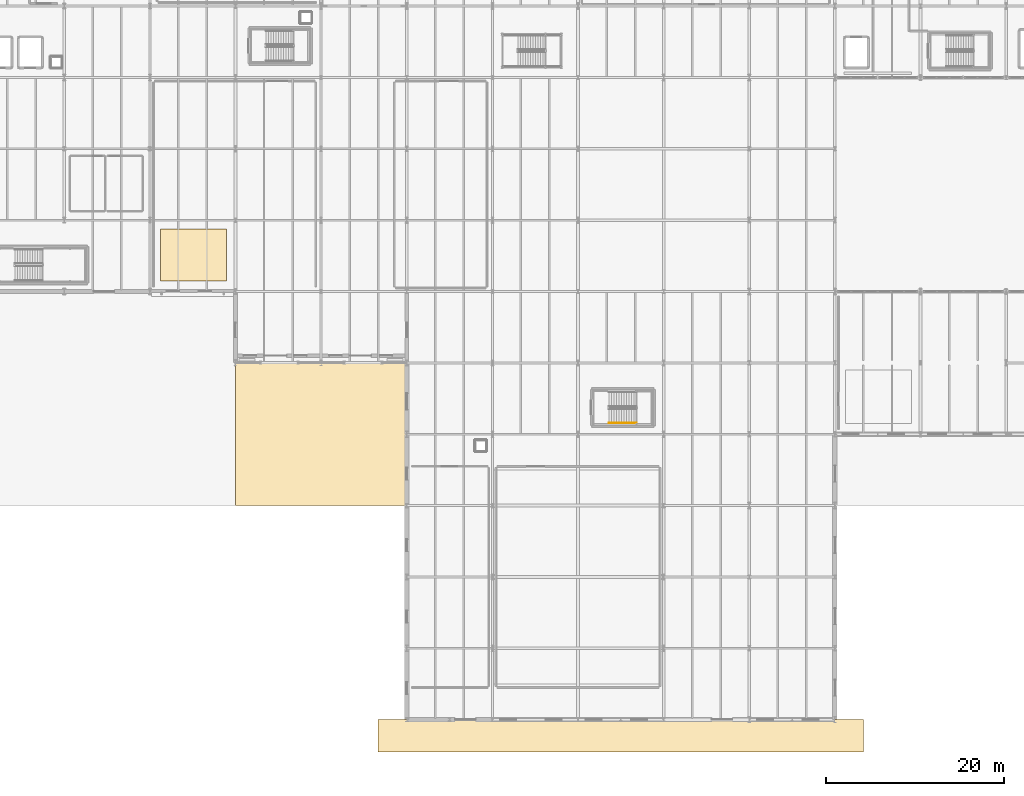
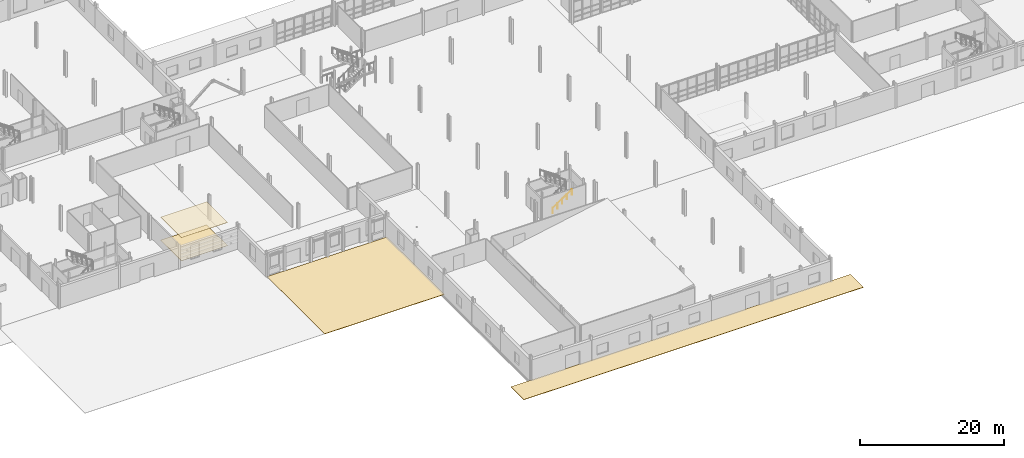
# One storey, part 68 of 78: 4 coverings, 1 railing.
"""IFC4 building model written with IfcOpenShell, lengths in metres."""

from ifc_helpers import new_model, si_unit, direction, frame, origin, origin_2d, place, context, subcontext, project, spatial, polyline, circle, outline, extrude, material, layer, layer_set, type_object, element, save


model = new_model("IFC4")

# Units and contexts
model_context = context("Model", 3, precision=1e-05, world=origin(), true_north=direction((0.0, 1.0)))
body_context = subcontext(model_context, "Body", "Model", "MODEL_VIEW")
ifc_project = project(units=[si_unit("LENGTHUNIT", "METRE"), si_unit("AREAUNIT", "SQUARE_METRE"), si_unit("VOLUMEUNIT", "CUBIC_METRE"), si_unit("PLANEANGLEUNIT", "RADIAN"), si_unit("MASSUNIT", "GRAM", prefix="KILO")], contexts=[model_context])

# Site, building, storey
site_placement = place(None, origin())
site = spatial("IfcSite", under=ifc_project, at=site_placement, CompositionType="ELEMENT")
building_placement = place(site_placement, origin())
building = spatial("IfcBuilding", under=site, at=building_placement, Name="Alderhovde Museum", CompositionType="ELEMENT")
storey_placement = place(building_placement, origin())
storey = spatial("IfcBuildingStorey", under=building, at=storey_placement, Name="L00", CompositionType="ELEMENT", Elevation=0.0)

# Coverings
ifc_material_1 = material(Name="Perforated Gypsum Acoustic Ceiling")
ifc_layer_1 = layer(ifc_material_1, 0.0400390625)
ifc_layer_set_1 = layer_set([ifc_layer_1], Name="Perforated Gypsum Acoustic Ceiling")
covering_type_1 = type_object("IfcCoveringType", Name="COV-CEIL-ACOU", PredefinedType="CEILING", material=ifc_layer_set_1)
covering_1_placement = place(storey_placement, frame((0.0, 0.0, 3.909912109375)))
element("IfcCovering", 1, at=covering_1_placement, inside=storey, type_object=covering_type_1, Name="L00 Acoustic Gallery Ceiling 1", PredefinedType="CEILING", context=body_context, shape_type="SweptSolid", body=[
    extrude(outline(polyline([(39.60009765625, 49.199951171875), (47.0, 49.199951171875), (47.0, 55.0), (39.60009765625, 55.0), (39.60009765625, 49.199951171875)])), origin(), (0.0, 0.0, 1.0), 0.0400390625),
])
ifc_material_2 = material(Name="Bush-Hammered Nordic Granite Forecourt Paving", Category="masonry")
ifc_layer_2 = layer(ifc_material_2, 0.06005859375)
ifc_layer_set_2 = layer_set([ifc_layer_2], Name="Bush-Hammered Nordic Granite Forecourt Paving")
covering_type_2 = type_object("IfcCoveringType", Name="COV-EXT-GRANITE", PredefinedType="FLOORING", material=ifc_layer_set_2)
covering_2_placement = place(storey_placement, frame((0.0, 0.0, -0.06005859375)))
element("IfcCovering", 2, at=covering_2_placement, inside=storey, type_object=covering_type_2, Name="Beaux-Arts Portico Forecourt Granite Parvis", PredefinedType="FLOORING", context=body_context, shape_type="SweptSolid", body=[
    extrude(outline(polyline([(48.0, 24.0), (67.199951171875, 24.0), (67.199951171875, 40.0), (48.0, 40.0), (48.0, 24.0)])), origin(), (0.0, 0.0, 1.0), 0.06005859375),
])
covering_3_placement = place(storey_placement, frame((0.0, 0.0, -0.06005859375)))
element("IfcCovering", 3, at=covering_3_placement, inside=storey, type_object=covering_type_2, Name="Auditorium South Granite Promenade", PredefinedType="FLOORING", context=body_context, shape_type="SweptSolid", body=[
    extrude(outline(polyline([(64.0, -3.60009765625), (118.39990234375, -3.60009765625), (118.39990234375, 0.0), (64.0, 0.0), (64.0, -3.60009765625)])), origin(), (0.0, 0.0, 1.0), 0.06005859375),
])
ifc_material_3 = material(Name="Honed Nordic Granite Terrazzo Flooring", Category="masonry")
ifc_layer_3 = layer(ifc_material_3, 0.030029296875)
ifc_layer_set_3 = layer_set([ifc_layer_3], Name="Honed Nordic Granite Terrazzo Flooring")
covering_type_3 = type_object("IfcCoveringType", Name="COV-FLR-TERRAZZO", PredefinedType="FLOORING", material=ifc_layer_set_3)
covering_4_placement = place(storey_placement, origin())
element("IfcCovering", 4, at=covering_4_placement, inside=storey, type_object=covering_type_3, Name="L00 Granite Terrazzo Flooring 1", PredefinedType="FLOORING", context=body_context, shape_type="SweptSolid", body=[
    extrude(outline(polyline([(39.60009765625, 49.199951171875), (47.0, 49.199951171875), (47.0, 55.0), (39.60009765625, 55.0), (39.60009765625, 49.199951171875)])), origin(), (0.0, 0.0, 1.0), 0.030029296875),
])

# Railing
ifc_material_4 = material(Name="Brushed Stainless Steel Handrail", Category="steel")
railing_type = type_object("IfcRailingType", Name="RL-HANDRAIL-900", PredefinedType="HANDRAIL", material=ifc_material_4)
railing_placement = place(storey_placement, frame((89.8798828125, 33.25, 0.1875)))
element("IfcRailing", 5, at=railing_placement, inside=storey, type_object=railing_type, Name="L00 ST3 stair handrail 1", PredefinedType="HANDRAIL", context=body_context, shape_type="SweptSolid", body=[
    extrude(circle(Radius=0.02392578125, at=origin_2d()), frame((0.0, 0.0, 0.8759765625), z_axis=(0.830913701846, 0.0, 0.55640131208), x_axis=(0.0, 1.0, 0.0)), (0.0, 0.0, 1.0), 3.706787109375),
    extrude(circle(Radius=0.02099609375, at=origin_2d()), origin(), (0.0, 0.0, 1.0), 0.851806640625),
    extrude(circle(Radius=0.02099609375, at=origin_2d()), frame((0.77001953125, 0.0, 0.515625)), (0.0, 0.0, 1.0), 0.851806640625),
    extrude(circle(Radius=0.02099609375, at=origin_2d()), frame((1.5400390625, 0.0, 1.03125)), (0.0, 0.0, 1.0), 0.851806640625),
    extrude(circle(Radius=0.02099609375, at=origin_2d()), frame((2.31005859375, 0.0, 1.546875)), (0.0, 0.0, 1.0), 0.851806640625),
    extrude(circle(Radius=0.02099609375, at=origin_2d()), frame((3.080078125, 0.0, 2.0625)), (0.0, 0.0, 1.0), 0.851806640625),
])

save(model, "model.ifc")
